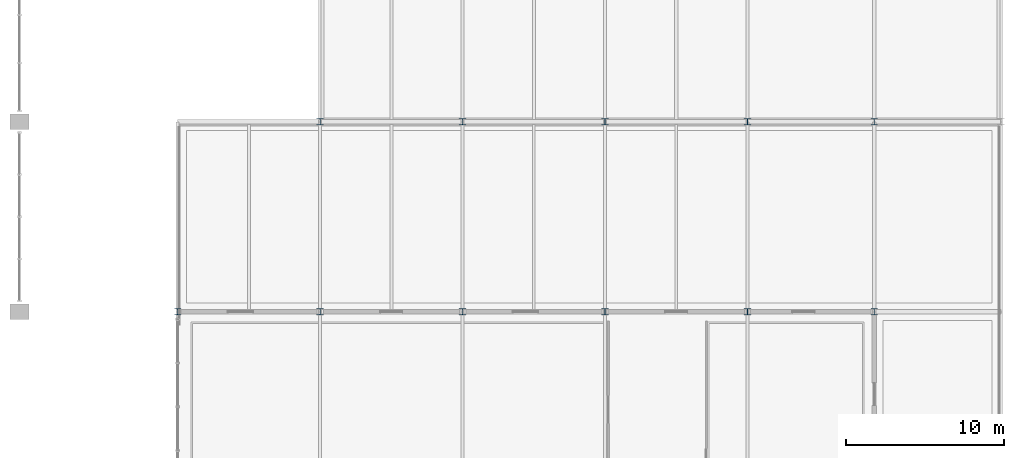
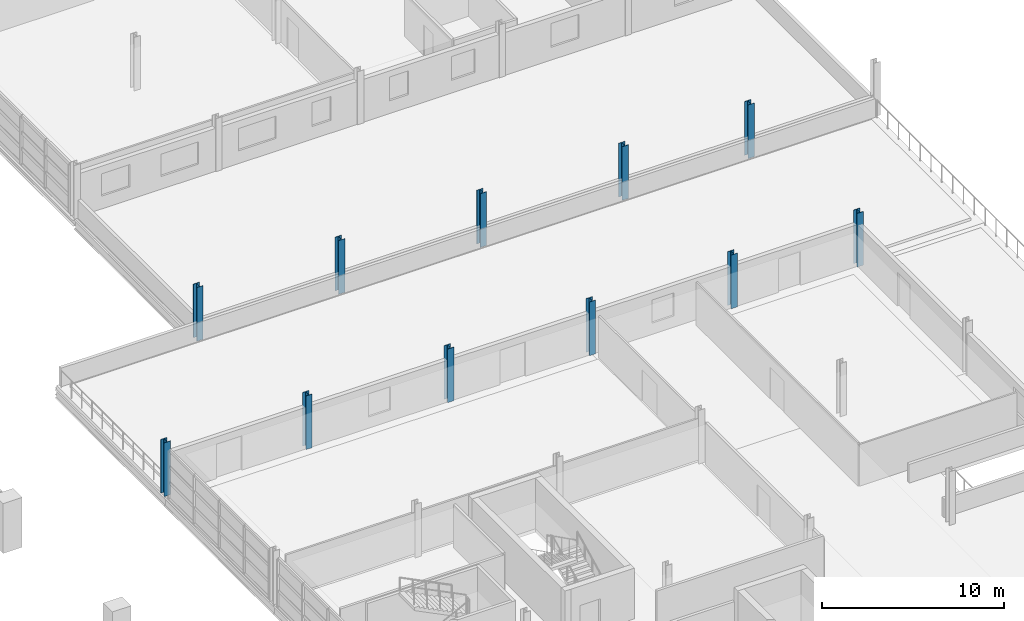
# One storey, part 14 of 116: 11 columns.
"""IFC4 building model written with IfcOpenShell, lengths in metres."""

from ifc_helpers import new_model, si_unit, direction, frame, origin, origin_2d, place, context, subcontext, project, spatial, i_section, extrude, material, material_profile, profile_set, type_object, element, save


model = new_model("IFC4")

# Units and contexts
model_context = context("Model", 3, precision=1e-05, world=origin(), true_north=direction((0.0, 1.0)))
body_context = subcontext(model_context, "Body", "Model", "MODEL_VIEW")
ifc_project = project(units=[si_unit("LENGTHUNIT", "METRE"), si_unit("AREAUNIT", "SQUARE_METRE"), si_unit("VOLUMEUNIT", "CUBIC_METRE"), si_unit("PLANEANGLEUNIT", "RADIAN"), si_unit("MASSUNIT", "GRAM", prefix="KILO")], contexts=[model_context])

# Site, building, storey
site_placement = place(None, origin())
site = spatial("IfcSite", under=ifc_project, at=site_placement, CompositionType="ELEMENT")
building_placement = place(site_placement, origin())
building = spatial("IfcBuilding", under=site, at=building_placement, Name="Chuanluo Vaults Station", CompositionType="ELEMENT")
storey_placement = place(building_placement, frame((0.0, 0.0, 10.800048828125)))
storey = spatial("IfcBuildingStorey", under=building, at=storey_placement, Name="L02", CompositionType="ELEMENT", Elevation=10.800048828125)

# Columns
ifc_material = material(Name="Steel Q355C", Category="steel")
ifc_material_profile = material_profile(ifc_material, i_section(OverallWidth=0.39990234375, OverallDepth=0.39990234375, WebThickness=0.012939453125, FlangeThickness=0.02099609375, FilletRadius=0.02197265625, at=origin_2d()))
ifc_profile_set = profile_set([ifc_material_profile], Name="Steel Q355C")
column_type = type_object("IfcColumnType", Name="COL-STL-HW400", PredefinedType="COLUMN", material=ifc_profile_set)
for number, where, z_axis, x_axis, name in (
    (1, (136.0, 42.0, 0.0), (0.0, 0.0, 1.0), (1.0, 0.0, 0.0), "Column L02-088"),
    (2, (145.0, 42.0, 0.0), (0.0, 0.0, 1.0), (1.0, 0.0, 0.0), "Column L02-101"),
    (3, (145.0, 54.0, 0.0), (0.0, 0.0, 1.0), (1.0, 0.0, 0.0), "Column L02-102"),
    (4, (154.0, 42.0, 0.0), (0.0, 0.0, 1.0), (1.0, 0.0, 0.0), "Column L02-114"),
    (5, (154.0, 54.0, 0.0), (0.0, 0.0, 1.0), (1.0, 0.0, 0.0), "Column L02-115"),
    (6, (163.0, 42.0, 0.0), (0.0, 0.0, 1.0), (1.0, 0.0, 0.0), "Column L02-127"),
    (7, (163.0, 54.0, 0.0), (0.0, 0.0, 1.0), (1.0, 0.0, 0.0), "Column L02-128"),
    (8, (172.0, 42.0, 0.0), (0.0, 0.0, 1.0), (1.0, 0.0, 0.0), "Column L02-140"),
    (9, (172.0, 54.0, 0.0), (0.0, 0.0, 1.0), (1.0, 0.0, 0.0), "Column L02-141"),
    (10, (180.0, 42.0, 0.0), (0.0, 0.0, 1.0), (1.0, 0.0, 0.0), "Column L02-153"),
    (11, (180.0, 54.0, 0.0), (0.0, 0.0, 1.0), (1.0, 0.0, 0.0), "Column L02-154"),
):
    element("IfcColumn", number, at=place(storey_placement, frame(where, z_axis=z_axis, x_axis=x_axis)), inside=storey, type_object=column_type, Name=name, PredefinedType="COLUMN", context=body_context, shape_type="SweptSolid", body=[
        extrude(i_section(OverallWidth=0.39990234375, OverallDepth=0.39990234375, WebThickness=0.012939453125, FlangeThickness=0.02099609375, FilletRadius=0.02197265625, at=origin_2d()), origin(), (0.0, 0.0, 1.0), 3.599853515625),
    ])

save(model, "model.ifc")
